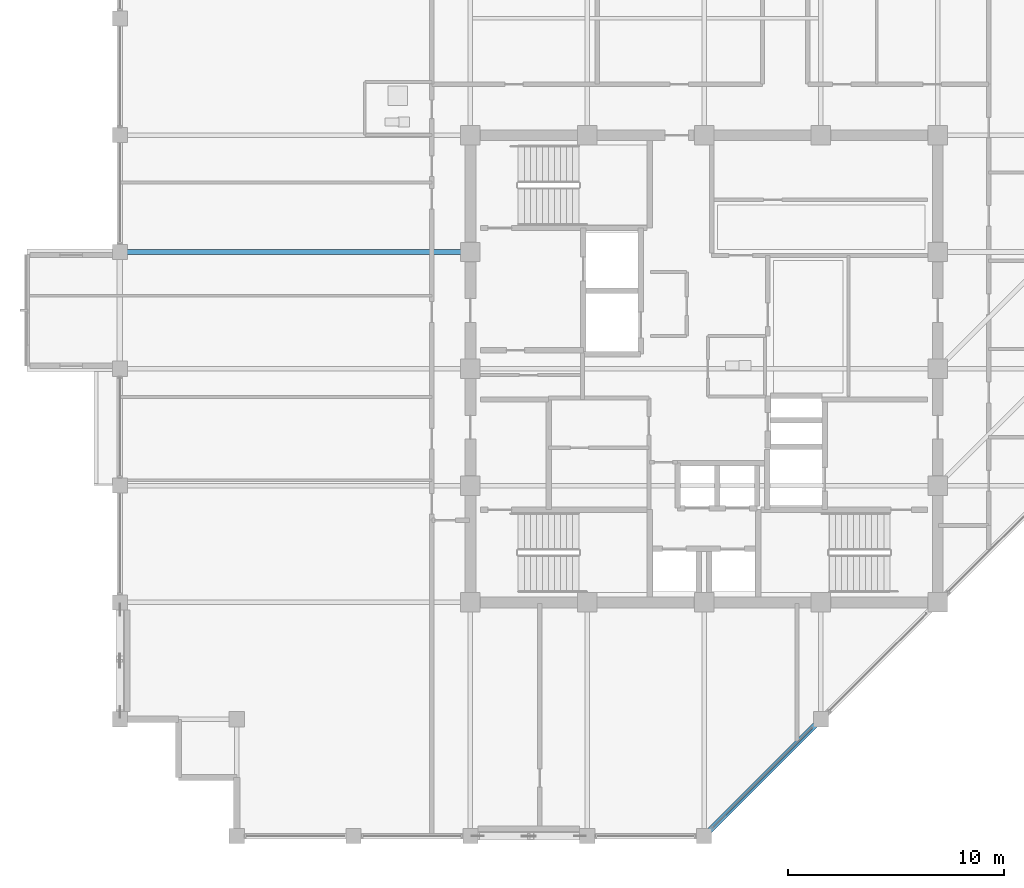
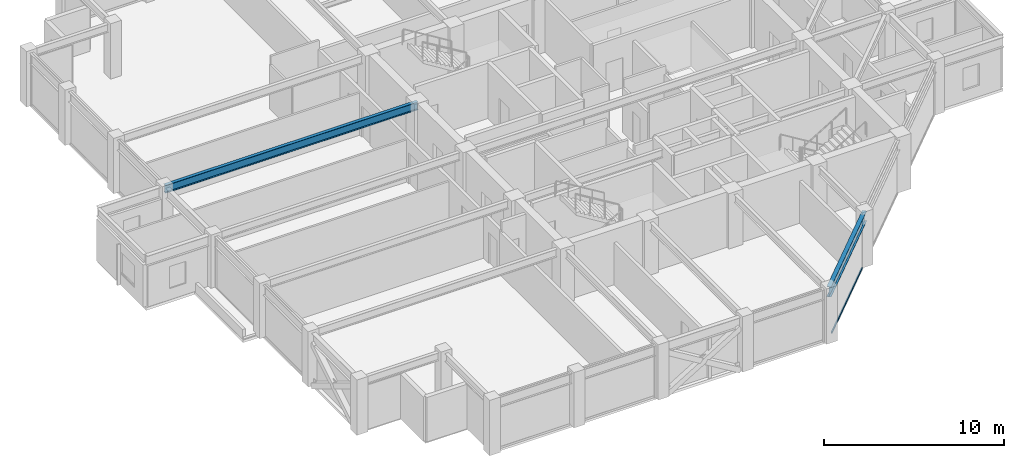
# One storey, part 8 of 31: 2 beams, 1 member, 1 element without a shape of its own.
"""IFC4 building model written with IfcOpenShell, lengths in metres."""

from ifc_helpers import new_model, si_unit, direction, frame, origin, origin_2d, place, context, subcontext, project, spatial, hollow_rectangle, i_section, extrude, material, layer, layer_set, material_profile, profile_set, type_object, element, aggregate, save


model = new_model("IFC4")

# Units and contexts
model_context = context("Model", 3, precision=1e-05, world=origin(), true_north=direction((0.0, 1.0)))
body_context = subcontext(model_context, "Body", "Model", "MODEL_VIEW")
ifc_project = project(units=[si_unit("LENGTHUNIT", "METRE"), si_unit("AREAUNIT", "SQUARE_METRE"), si_unit("VOLUMEUNIT", "CUBIC_METRE"), si_unit("PLANEANGLEUNIT", "RADIAN"), si_unit("MASSUNIT", "GRAM", prefix="KILO")], contexts=[model_context])

# Site, building, storey
site_placement = place(None, origin())
site = spatial("IfcSite", under=ifc_project, at=site_placement, CompositionType="ELEMENT")
building_placement = place(site_placement, origin())
building = spatial("IfcBuilding", under=site, at=building_placement, Name="Surkhivell Harbour Commons", CompositionType="ELEMENT")
storey_placement = place(building_placement, frame((0.0, 0.0, 315.0)))
storey = spatial("IfcBuildingStorey", under=building, at=storey_placement, Name="L82", CompositionType="ELEMENT", Elevation=315.0)

# Beams
ifc_material_1 = material(Name="Steel S355", Category="steel")
ifc_material_profile_1 = material_profile(ifc_material_1, i_section(OverallWidth=0.2099609375, OverallDepth=0.537109375, WebThickness=0.0107421875, FlangeThickness=0.017333984375, at=origin_2d()), Name="UB533x210x101")
ifc_profile_set_1 = profile_set([ifc_material_profile_1], Name="Steel S355")
beam_type_1 = type_object("IfcBeamType", Name="BM-GRD-533B", PredefinedType="BEAM", material=ifc_profile_set_1)
beam_1_placement = place(storey_placement, frame((-27.0, 5.39990234375, 3.301513671875), z_axis=(1.0, 0.0, 0.0), x_axis=(0.0, 1.0, 0.0)))
element("IfcBeam", 1, at=beam_1_placement, inside=storey, type_object=beam_type_1, Name="L82 Cantilever Back-Span Girder (-27.0,5.4)", PredefinedType="BEAM", context=body_context, shape_type="SweptSolid", body=[
    extrude(i_section(OverallWidth=0.2099609375, OverallDepth=0.537109375, WebThickness=0.0107421875, FlangeThickness=0.017333984375, at=origin_2d()), origin(), (0.0, 0.0, 1.0), 16.199951171875),
])
ifc_material_profile_2 = material_profile(ifc_material_1, i_section(OverallWidth=0.256103515625, OverallDepth=0.693115234375, WebThickness=0.014404296875, FlangeThickness=0.023681640625, at=origin_2d()), Name="UB686x254x170")
ifc_profile_set_2 = profile_set([ifc_material_profile_2], Name="Steel S355")
beam_type_2 = type_object("IfcBeamType", Name="BM-SPN-686", PredefinedType="SPANDREL", material=ifc_profile_set_2)
beam_2_placement = place(storey_placement, frame((0.0, -21.60009765625, 3.223388671875), z_axis=(0.707090796496, 0.707122765516, 0.0), x_axis=(-0.707122765516, 0.707090796496, 0.0)))
element("IfcBeam", 2, at=beam_2_placement, inside=storey, type_object=beam_type_2, Name="L82 Tube Spandrel (-0.0,-21.6)", PredefinedType="SPANDREL", context=body_context, shape_type="SweptSolid", body=[
    extrude(i_section(OverallWidth=0.256103515625, OverallDepth=0.693115234375, WebThickness=0.014404296875, FlangeThickness=0.023681640625, at=origin_2d()), origin(), (0.0, 0.0, 1.0), 7.63671875),
])

# Curtain wall, member
ifc_material_2 = material(Name="Anodised pale-metal aluminium and insulated glazing", Category="aluminium")
ifc_layer = layer(ifc_material_2, 0.175048828125)
ifc_layer_set = layer_set([ifc_layer], Name="Anodised pale-metal aluminium and insulated glazing")
curtain_wall_type = type_object("IfcCurtainWallType", Name="CW-SYS-Z4", PredefinedType="NOTDEFINED", material=ifc_layer_set)
curtain_wall_placement = place(storey_placement, origin())
curtain_wall = element("IfcCurtainWall", 3, at=curtain_wall_placement, inside=storey, type_object=curtain_wall_type, Name="L82 Curtain Wall CW-L82-E01", PredefinedType="NOTDEFINED")
ifc_material_3 = material(Name="Champagne anodised aluminium alloy 6063-T6", Category="aluminium")
ifc_material_profile_3 = material_profile(ifc_material_3, hollow_rectangle(XDim=0.070068359375, YDim=0.1298828125, WallThickness=0.00341796875, at=origin_2d()), Name="ALU-TRAN-70x130")
ifc_profile_set_3 = profile_set([ifc_material_profile_3], Name="Champagne anodised aluminium alloy 6063-T6")
member_type = type_object("IfcMemberType", Name="CWT-130", PredefinedType="USERDEFINED", material=ifc_profile_set_3)
member_placement = place(storey_placement, frame((0.404541015625, -21.1953125, 0.06494140625), z_axis=(0.707125583467, 0.707087978406, 0.0), x_axis=(-0.707087978406, 0.707125583467, 0.0)))
member = element("IfcMember", 4, at=member_placement, type_object=member_type, Name="CW-Z4 transom 1.1", ObjectType="TRANSOM", PredefinedType="USERDEFINED", context=body_context, shape_type="SweptSolid", body=[
    extrude(hollow_rectangle(XDim=0.070068359375, YDim=0.1298828125, WallThickness=0.00341796875, at=origin_2d()), origin(), (0.0, 0.0, 1.0), 6.4921875),
])
aggregate(curtain_wall, [member])

save(model, "model.ifc")
